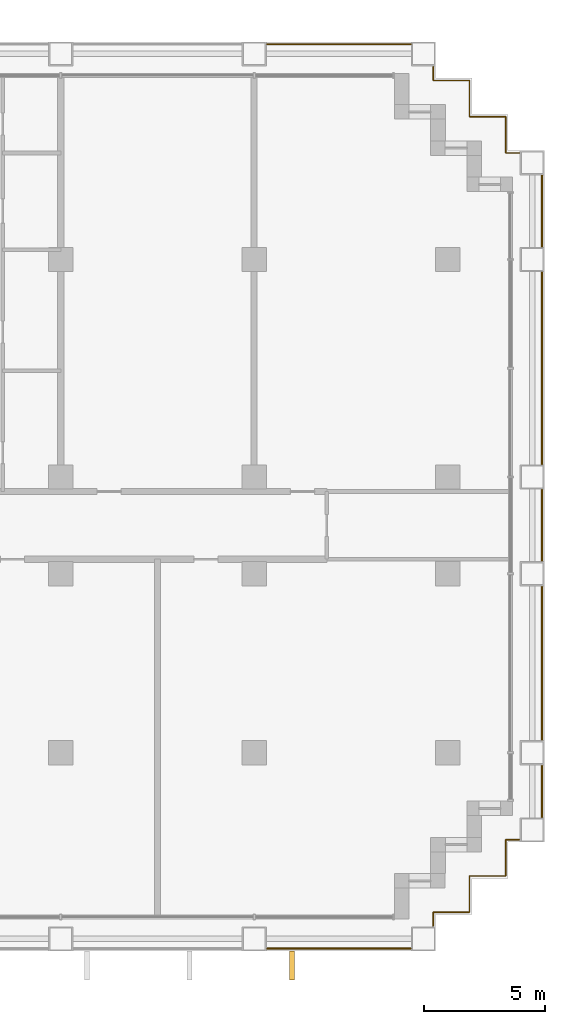
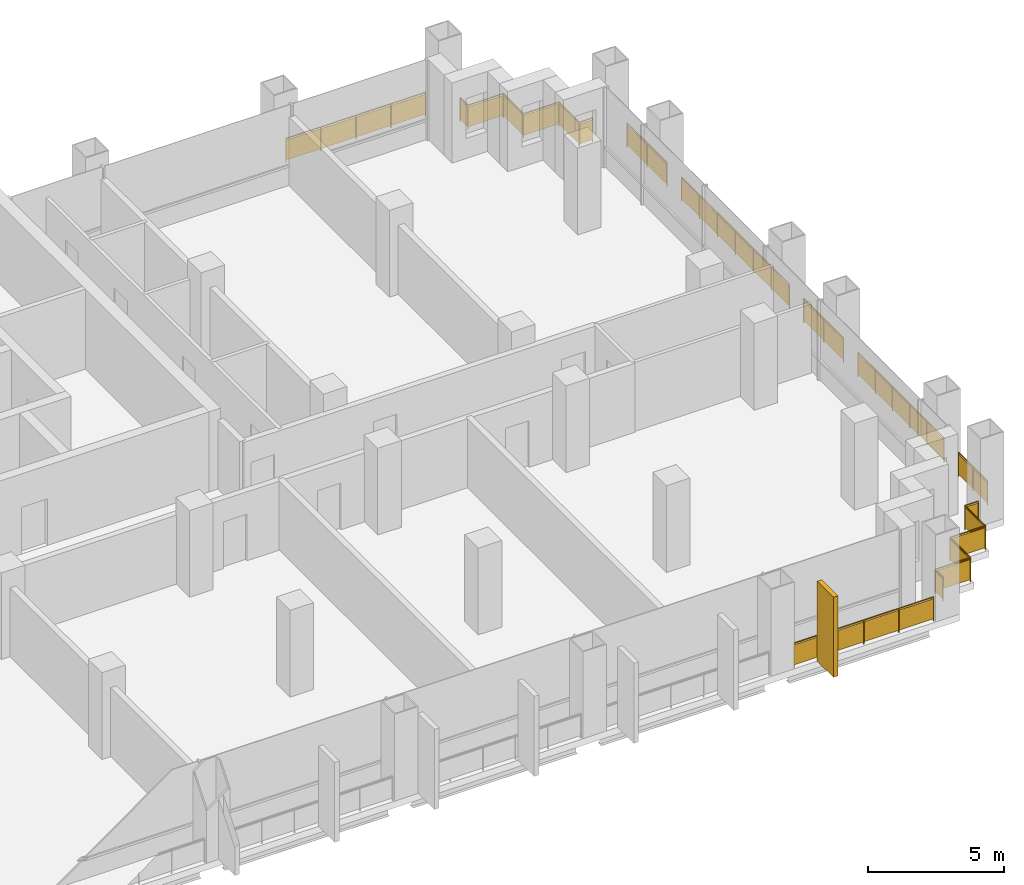
# One storey, part 13 of 13: 9 railings, 1 shading device.
"""IFC4 building model written with IfcOpenShell, lengths in metres."""

from ifc_helpers import new_model, si_unit, direction, frame, frame_2d, origin, origin_2d, place, context, subcontext, project, spatial, rectangle, circle, extrude, material, layer, layer_set, type_object, element, save


model = new_model("IFC4")

# Units and contexts
model_context = context("Model", 3, precision=1e-05, world=origin(), true_north=direction((0.0, 1.0)))
body_context = subcontext(model_context, "Body", "Model", "MODEL_VIEW")
ifc_project = project(units=[si_unit("LENGTHUNIT", "METRE"), si_unit("AREAUNIT", "SQUARE_METRE"), si_unit("VOLUMEUNIT", "CUBIC_METRE"), si_unit("PLANEANGLEUNIT", "RADIAN"), si_unit("MASSUNIT", "GRAM", prefix="KILO")], contexts=[model_context])

# Site, building, storey
site_placement = place(None, origin())
site = spatial("IfcSite", under=ifc_project, at=site_placement, CompositionType="ELEMENT")
building_placement = place(site_placement, origin())
building = spatial("IfcBuilding", under=site, at=building_placement, Name="Vidyagriha Tower", CompositionType="ELEMENT")
storey_placement = place(building_placement, frame((0.0, 0.0, 29.89990234375)))
storey = spatial("IfcBuildingStorey", under=building, at=storey_placement, Name="L07", CompositionType="ELEMENT", Elevation=29.89990234375)

# Shading device
ifc_material_1 = material(Name="Precast concrete C40/50 with brick facing", Category="concrete")
ifc_layer = layer(ifc_material_1, 0.199951171875)
ifc_layer_set = layer_set([ifc_layer], Name="Precast concrete C40/50 with brick facing")
shading_device_type = type_object("IfcShadingDeviceType", Name="Brick-faced solar fin 1200", PredefinedType="USERDEFINED", material=ifc_layer_set)
shading_device_placement = place(storey_placement, frame((27.56005859375, -17.60009765625, 0.0), z_axis=(0.0, 0.0, 1.0), x_axis=(0.0, -1.0, 0.0)))
element("IfcShadingDevice", 1, at=shading_device_placement, inside=storey, type_object=shading_device_type, Name="Solar fin L07 R23.14", ObjectType="SOLAR FIN", PredefinedType="USERDEFINED", context=body_context, shape_type="SweptSolid", body=[
    extrude(rectangle(XDim=1.199951171875, YDim=0.199951171875, at=frame_2d((0.60009765625, 0.0))), origin(), (0.0, 0.0, 1.0), 3.60009765625),
])

# Railings
ifc_material_2 = material(Name="Steel ASTM A500 Grade C black painted", Category="steel")
railing_type = type_object("IfcRailingType", Name="Gallery guard 1100", PredefinedType="GUARDRAIL", material=ifc_material_2)
railing_1_placement = place(storey_placement, frame((32.469970703125, -17.5, 0.0)))
element("IfcRailing", 2, at=railing_1_placement, inside=storey, type_object=railing_type, Name="Gallery guard L07 21", PredefinedType="GUARDRAIL", context=body_context, shape_type="SweptSolid", body=[
    extrude(circle(Radius=0.02490234375, at=origin_2d()), frame((0.0, 0.0, 1.0751953125), z_axis=(-1.0, 0.0, 0.0), x_axis=(0.0, -1.0, 0.0)), (0.0, 0.0, 1.0), 5.93994140625),
    extrude(circle(Radius=0.02001953125, at=origin_2d()), origin(), (0.0, 0.0, 1.0), 1.050048828125),
    extrude(circle(Radius=0.02001953125, at=origin_2d()), frame((-1.48486328125, 0.0, 0.0)), (0.0, 0.0, 1.0), 1.050048828125),
    extrude(circle(Radius=0.02001953125, at=origin_2d()), frame((-2.969970703125, 0.0, 0.0)), (0.0, 0.0, 1.0), 1.050048828125),
    extrude(circle(Radius=0.02001953125, at=origin_2d()), frame((-4.455078125, 0.0, 0.0)), (0.0, 0.0, 1.0), 1.050048828125),
    extrude(circle(Radius=0.02001953125, at=origin_2d()), frame((-5.93994140625, 0.0, 0.0)), (0.0, 0.0, 1.0), 1.050048828125),
    extrude(rectangle(XDim=0.010009765625, YDim=0.900146484375, at=origin_2d()), frame((0.0, 0.0, 0.550048828125), z_axis=(-1.0, 0.0, 0.0), x_axis=(0.0, -1.0, 0.0)), (0.0, 0.0, 1.0), 5.93994140625),
])
railing_2_placement = place(storey_placement, frame((26.530029296875, 19.89990234375, 0.0)))
element("IfcRailing", 3, at=railing_2_placement, inside=storey, type_object=railing_type, Name="Gallery guard L07 22", PredefinedType="GUARDRAIL", context=body_context, shape_type="SweptSolid", body=[
    extrude(circle(Radius=0.02490234375, at=origin_2d()), frame((0.0, 0.0, 1.0751953125), z_axis=(1.0, 0.0, 0.0), x_axis=(0.0, 1.0, 0.0)), (0.0, 0.0, 1.0), 5.93994140625),
    extrude(circle(Radius=0.02001953125, at=origin_2d()), origin(), (0.0, 0.0, 1.0), 1.050048828125),
    extrude(circle(Radius=0.02001953125, at=origin_2d()), frame((1.48486328125, 0.0, 0.0)), (0.0, 0.0, 1.0), 1.050048828125),
    extrude(circle(Radius=0.02001953125, at=origin_2d()), frame((2.969970703125, 0.0, 0.0)), (0.0, 0.0, 1.0), 1.050048828125),
    extrude(circle(Radius=0.02001953125, at=origin_2d()), frame((4.455078125, 0.0, 0.0)), (0.0, 0.0, 1.0), 1.050048828125),
    extrude(circle(Radius=0.02001953125, at=origin_2d()), frame((5.93994140625, 0.0, 0.0)), (0.0, 0.0, 1.0), 1.050048828125),
    extrude(rectangle(XDim=0.010009765625, YDim=0.900146484375, at=origin_2d()), frame((0.0, 0.0, 0.550048828125), z_axis=(1.0, 0.0, 0.0), x_axis=(0.0, 1.0, 0.0)), (0.0, 0.0, 1.0), 5.93994140625),
])
railing_3_placement = place(storey_placement, frame((36.969970703125, -13.0, 0.0)))
element("IfcRailing", 4, at=railing_3_placement, inside=storey, type_object=railing_type, Name="Gallery guard L07 23", PredefinedType="GUARDRAIL", context=body_context, shape_type="SweptSolid", body=[
    extrude(circle(Radius=0.02490234375, at=origin_2d()), frame((0.0, 0.0, 1.0751953125), z_axis=(-1.0, 0.0, 0.0), x_axis=(0.0, -1.0, 0.0)), (0.0, 0.0, 1.0), 0.570068359375),
    extrude(circle(Radius=0.02490234375, at=origin_2d()), frame((-0.570068359375, 0.0, 1.0751953125), z_axis=(0.0, -1.0, 0.0), x_axis=(1.0, 0.0, 0.0)), (0.0, 0.0, 1.0), 1.5),
    extrude(circle(Radius=0.02490234375, at=origin_2d()), frame((-0.570068359375, -1.5, 1.0751953125), z_axis=(-1.0, 0.0, 0.0), x_axis=(0.0, -1.0, 0.0)), (0.0, 0.0, 1.0), 1.5),
    extrude(circle(Radius=0.02490234375, at=origin_2d()), frame((-2.070068359375, -1.5, 1.0751953125), z_axis=(0.0, -1.0, 0.0), x_axis=(1.0, 0.0, 0.0)), (0.0, 0.0, 1.0), 1.5),
    extrude(circle(Radius=0.02490234375, at=origin_2d()), frame((-2.070068359375, -3.0, 1.0751953125), z_axis=(-1.0, 0.0, 0.0), x_axis=(0.0, -1.0, 0.0)), (0.0, 0.0, 1.0), 1.5),
    extrude(circle(Radius=0.02490234375, at=origin_2d()), frame((-3.570068359375, -3.0, 1.0751953125), z_axis=(0.0, -1.0, 0.0), x_axis=(1.0, 0.0, 0.0)), (0.0, 0.0, 1.0), 0.570068359375),
    extrude(circle(Radius=0.02001953125, at=origin_2d()), origin(), (0.0, 0.0, 1.0), 1.050048828125),
    extrude(circle(Radius=0.02001953125, at=origin_2d()), frame((-0.570068359375, 0.0, 0.0)), (0.0, 0.0, 1.0), 1.050048828125),
    extrude(circle(Radius=0.02001953125, at=origin_2d()), frame((-0.570068359375, -1.5, 0.0)), (0.0, 0.0, 1.0), 1.050048828125),
    extrude(circle(Radius=0.02001953125, at=origin_2d()), frame((-2.070068359375, -1.5, 0.0)), (0.0, 0.0, 1.0), 1.050048828125),
    extrude(circle(Radius=0.02001953125, at=origin_2d()), frame((-2.070068359375, -3.0, 0.0)), (0.0, 0.0, 1.0), 1.050048828125),
    extrude(circle(Radius=0.02001953125, at=origin_2d()), frame((-3.570068359375, -3.0, 0.0)), (0.0, 0.0, 1.0), 1.050048828125),
    extrude(circle(Radius=0.02001953125, at=origin_2d()), frame((-3.570068359375, -3.570068359375, 0.0)), (0.0, 0.0, 1.0), 1.050048828125),
    extrude(rectangle(XDim=0.010009765625, YDim=0.900146484375, at=origin_2d()), frame((0.0, 0.0, 0.550048828125), z_axis=(-1.0, 0.0, 0.0), x_axis=(0.0, -1.0, 0.0)), (0.0, 0.0, 1.0), 0.570068359375),
    extrude(rectangle(XDim=0.010009765625, YDim=0.900146484375, at=origin_2d()), frame((-0.570068359375, 0.0, 0.550048828125), z_axis=(0.0, -1.0, 0.0), x_axis=(1.0, 0.0, 0.0)), (0.0, 0.0, 1.0), 1.5),
    extrude(rectangle(XDim=0.010009765625, YDim=0.900146484375, at=origin_2d()), frame((-0.570068359375, -1.5, 0.550048828125), z_axis=(-1.0, 0.0, 0.0), x_axis=(0.0, -1.0, 0.0)), (0.0, 0.0, 1.0), 1.5),
    extrude(rectangle(XDim=0.010009765625, YDim=0.900146484375, at=origin_2d()), frame((-2.070068359375, -1.5, 0.550048828125), z_axis=(0.0, -1.0, 0.0), x_axis=(1.0, 0.0, 0.0)), (0.0, 0.0, 1.0), 1.5),
    extrude(rectangle(XDim=0.010009765625, YDim=0.900146484375, at=origin_2d()), frame((-2.070068359375, -3.0, 0.550048828125), z_axis=(-1.0, 0.0, 0.0), x_axis=(0.0, -1.0, 0.0)), (0.0, 0.0, 1.0), 1.5),
    extrude(rectangle(XDim=0.010009765625, YDim=0.900146484375, at=origin_2d()), frame((-3.570068359375, -3.0, 0.550048828125), z_axis=(0.0, -1.0, 0.0), x_axis=(1.0, 0.0, 0.0)), (0.0, 0.0, 1.0), 0.570068359375),
])
railing_4_placement = place(storey_placement, frame((33.39990234375, 18.969970703125, 0.0)))
element("IfcRailing", 5, at=railing_4_placement, inside=storey, type_object=railing_type, Name="Gallery guard L07 24", PredefinedType="GUARDRAIL", context=body_context, shape_type="SweptSolid", body=[
    extrude(circle(Radius=0.02490234375, at=origin_2d()), frame((0.0, 0.0, 1.0751953125), z_axis=(0.0, -1.0, 0.0), x_axis=(1.0, 0.0, 0.0)), (0.0, 0.0, 1.0), 0.570068359375),
    extrude(circle(Radius=0.02490234375, at=origin_2d()), frame((0.0, -0.570068359375, 1.0751953125), z_axis=(1.0, 0.0, 0.0), x_axis=(0.0, 1.0, 0.0)), (0.0, 0.0, 1.0), 1.5),
    extrude(circle(Radius=0.02490234375, at=origin_2d()), frame((1.5, -0.570068359375, 1.0751953125), z_axis=(0.0, -1.0, 0.0), x_axis=(1.0, 0.0, 0.0)), (0.0, 0.0, 1.0), 1.5),
    extrude(circle(Radius=0.02490234375, at=origin_2d()), frame((1.5, -2.070068359375, 1.0751953125), z_axis=(1.0, 0.0, 0.0), x_axis=(0.0, 1.0, 0.0)), (0.0, 0.0, 1.0), 1.5),
    extrude(circle(Radius=0.02490234375, at=origin_2d()), frame((3.0, -2.070068359375, 1.0751953125), z_axis=(0.0, -1.0, 0.0), x_axis=(1.0, 0.0, 0.0)), (0.0, 0.0, 1.0), 1.5),
    extrude(circle(Radius=0.02490234375, at=origin_2d()), frame((3.0, -3.570068359375, 1.0751953125), z_axis=(1.0, 0.0, 0.0), x_axis=(0.0, 1.0, 0.0)), (0.0, 0.0, 1.0), 0.570068359375),
    extrude(circle(Radius=0.02001953125, at=origin_2d()), origin(), (0.0, 0.0, 1.0), 1.050048828125),
    extrude(circle(Radius=0.02001953125, at=origin_2d()), frame((0.0, -0.570068359375, 0.0)), (0.0, 0.0, 1.0), 1.050048828125),
    extrude(circle(Radius=0.02001953125, at=origin_2d()), frame((1.5, -0.570068359375, 0.0)), (0.0, 0.0, 1.0), 1.050048828125),
    extrude(circle(Radius=0.02001953125, at=origin_2d()), frame((1.5, -2.070068359375, 0.0)), (0.0, 0.0, 1.0), 1.050048828125),
    extrude(circle(Radius=0.02001953125, at=origin_2d()), frame((3.0, -2.070068359375, 0.0)), (0.0, 0.0, 1.0), 1.050048828125),
    extrude(circle(Radius=0.02001953125, at=origin_2d()), frame((3.0, -3.570068359375, 0.0)), (0.0, 0.0, 1.0), 1.050048828125),
    extrude(circle(Radius=0.02001953125, at=origin_2d()), frame((3.570068359375, -3.570068359375, 0.0)), (0.0, 0.0, 1.0), 1.050048828125),
    extrude(rectangle(XDim=0.010009765625, YDim=0.900146484375, at=origin_2d()), frame((0.0, 0.0, 0.550048828125), z_axis=(0.0, -1.0, 0.0), x_axis=(1.0, 0.0, 0.0)), (0.0, 0.0, 1.0), 0.570068359375),
    extrude(rectangle(XDim=0.010009765625, YDim=0.900146484375, at=origin_2d()), frame((0.0, -0.570068359375, 0.550048828125), z_axis=(1.0, 0.0, 0.0), x_axis=(0.0, 1.0, 0.0)), (0.0, 0.0, 1.0), 1.5),
    extrude(rectangle(XDim=0.010009765625, YDim=0.900146484375, at=origin_2d()), frame((1.5, -0.570068359375, 0.550048828125), z_axis=(0.0, -1.0, 0.0), x_axis=(1.0, 0.0, 0.0)), (0.0, 0.0, 1.0), 1.5),
    extrude(rectangle(XDim=0.010009765625, YDim=0.900146484375, at=origin_2d()), frame((1.5, -2.070068359375, 0.550048828125), z_axis=(1.0, 0.0, 0.0), x_axis=(0.0, 1.0, 0.0)), (0.0, 0.0, 1.0), 1.5),
    extrude(rectangle(XDim=0.010009765625, YDim=0.900146484375, at=origin_2d()), frame((3.0, -2.070068359375, 0.550048828125), z_axis=(0.0, -1.0, 0.0), x_axis=(1.0, 0.0, 0.0)), (0.0, 0.0, 1.0), 1.5),
    extrude(rectangle(XDim=0.010009765625, YDim=0.900146484375, at=origin_2d()), frame((3.0, -3.570068359375, 0.550048828125), z_axis=(1.0, 0.0, 0.0), x_axis=(0.0, 1.0, 0.0)), (0.0, 0.0, 1.0), 0.570068359375),
])
railing_5_placement = place(storey_placement, frame((37.89990234375, -9.929931640625, 0.0)))
element("IfcRailing", 6, at=railing_5_placement, inside=storey, type_object=railing_type, Name="Gallery guard L07 25", PredefinedType="GUARDRAIL", context=body_context, shape_type="SweptSolid", body=[
    extrude(circle(Radius=0.02490234375, at=origin_2d()), frame((0.0, 0.0, 1.0751953125), z_axis=(0.0, -1.0, 0.0), x_axis=(1.0, 0.0, 0.0)), (0.0, 0.0, 1.0), 2.14013671875),
    extrude(circle(Radius=0.02001953125, at=origin_2d()), origin(), (0.0, 0.0, 1.0), 1.050048828125),
    extrude(circle(Radius=0.02001953125, at=origin_2d()), frame((0.0, -1.070068359375, 0.0)), (0.0, 0.0, 1.0), 1.050048828125),
    extrude(circle(Radius=0.02001953125, at=origin_2d()), frame((0.0, -2.14013671875, 0.0)), (0.0, 0.0, 1.0), 1.050048828125),
    extrude(rectangle(XDim=0.010009765625, YDim=0.900146484375, at=origin_2d()), frame((0.0, 0.0, 0.550048828125), z_axis=(0.0, -1.0, 0.0), x_axis=(1.0, 0.0, 0.0)), (0.0, 0.0, 1.0), 2.14013671875),
])
railing_6_placement = place(storey_placement, frame((37.89990234375, -2.530029296875, 0.0)))
element("IfcRailing", 7, at=railing_6_placement, inside=storey, type_object=railing_type, Name="Gallery guard L07 26", PredefinedType="GUARDRAIL", context=body_context, shape_type="SweptSolid", body=[
    extrude(circle(Radius=0.02490234375, at=origin_2d()), frame((0.0, 0.0, 1.0751953125), z_axis=(0.0, -1.0, 0.0), x_axis=(1.0, 0.0, 0.0)), (0.0, 0.0, 1.0), 6.340087890625),
    extrude(circle(Radius=0.02001953125, at=origin_2d()), origin(), (0.0, 0.0, 1.0), 1.050048828125),
    extrude(circle(Radius=0.02001953125, at=origin_2d()), frame((0.0, -1.26806640625, 0.0)), (0.0, 0.0, 1.0), 1.050048828125),
    extrude(circle(Radius=0.02001953125, at=origin_2d()), frame((0.0, -2.5361328125, 0.0)), (0.0, 0.0, 1.0), 1.050048828125),
    extrude(circle(Radius=0.02001953125, at=origin_2d()), frame((0.0, -3.803955078125, 0.0)), (0.0, 0.0, 1.0), 1.050048828125),
    extrude(circle(Radius=0.02001953125, at=origin_2d()), frame((0.0, -5.072021484375, 0.0)), (0.0, 0.0, 1.0), 1.050048828125),
    extrude(circle(Radius=0.02001953125, at=origin_2d()), frame((0.0, -6.340087890625, 0.0)), (0.0, 0.0, 1.0), 1.050048828125),
    extrude(rectangle(XDim=0.010009765625, YDim=0.900146484375, at=origin_2d()), frame((0.0, 0.0, 0.550048828125), z_axis=(0.0, -1.0, 0.0), x_axis=(1.0, 0.0, 0.0)), (0.0, 0.0, 1.0), 6.340087890625),
])
railing_7_placement = place(storey_placement, frame((37.89990234375, 1.469970703125, 0.0)))
element("IfcRailing", 8, at=railing_7_placement, inside=storey, type_object=railing_type, Name="Gallery guard L07 27", PredefinedType="GUARDRAIL", context=body_context, shape_type="SweptSolid", body=[
    extrude(circle(Radius=0.02490234375, at=origin_2d()), frame((0.0, 0.0, 1.0751953125), z_axis=(0.0, -1.0, 0.0), x_axis=(1.0, 0.0, 0.0)), (0.0, 0.0, 1.0), 2.93994140625),
    extrude(circle(Radius=0.02001953125, at=origin_2d()), origin(), (0.0, 0.0, 1.0), 1.050048828125),
    extrude(circle(Radius=0.02001953125, at=origin_2d()), frame((0.0, -1.469970703125, 0.0)), (0.0, 0.0, 1.0), 1.050048828125),
    extrude(circle(Radius=0.02001953125, at=origin_2d()), frame((0.0, -2.93994140625, 0.0)), (0.0, 0.0, 1.0), 1.050048828125),
    extrude(rectangle(XDim=0.010009765625, YDim=0.900146484375, at=origin_2d()), frame((0.0, 0.0, 0.550048828125), z_axis=(0.0, -1.0, 0.0), x_axis=(1.0, 0.0, 0.0)), (0.0, 0.0, 1.0), 2.93994140625),
])
railing_8_placement = place(storey_placement, frame((37.89990234375, 10.469970703125, 0.0)))
element("IfcRailing", 9, at=railing_8_placement, inside=storey, type_object=railing_type, Name="Gallery guard L07 28", PredefinedType="GUARDRAIL", context=body_context, shape_type="SweptSolid", body=[
    extrude(circle(Radius=0.02490234375, at=origin_2d()), frame((0.0, 0.0, 1.0751953125), z_axis=(0.0, -1.0, 0.0), x_axis=(1.0, 0.0, 0.0)), (0.0, 0.0, 1.0), 7.93994140625),
    extrude(circle(Radius=0.02001953125, at=origin_2d()), origin(), (0.0, 0.0, 1.0), 1.050048828125),
    extrude(circle(Radius=0.02001953125, at=origin_2d()), frame((0.0, -1.3232421875, 0.0)), (0.0, 0.0, 1.0), 1.050048828125),
    extrude(circle(Radius=0.02001953125, at=origin_2d()), frame((0.0, -2.646728515625, 0.0)), (0.0, 0.0, 1.0), 1.050048828125),
    extrude(circle(Radius=0.02001953125, at=origin_2d()), frame((0.0, -3.969970703125, 0.0)), (0.0, 0.0, 1.0), 1.050048828125),
    extrude(circle(Radius=0.02001953125, at=origin_2d()), frame((0.0, -5.293212890625, 0.0)), (0.0, 0.0, 1.0), 1.050048828125),
    extrude(circle(Radius=0.02001953125, at=origin_2d()), frame((0.0, -6.61669921875, 0.0)), (0.0, 0.0, 1.0), 1.050048828125),
    extrude(circle(Radius=0.02001953125, at=origin_2d()), frame((0.0, -7.93994140625, 0.0)), (0.0, 0.0, 1.0), 1.050048828125),
    extrude(rectangle(XDim=0.010009765625, YDim=0.900146484375, at=origin_2d()), frame((0.0, 0.0, 0.550048828125), z_axis=(0.0, -1.0, 0.0), x_axis=(1.0, 0.0, 0.0)), (0.0, 0.0, 1.0), 7.93994140625),
])
railing_9_placement = place(storey_placement, frame((37.89990234375, 14.469970703125, 0.0)))
element("IfcRailing", 10, at=railing_9_placement, inside=storey, type_object=railing_type, Name="Gallery guard L07 29", PredefinedType="GUARDRAIL", context=body_context, shape_type="SweptSolid", body=[
    extrude(circle(Radius=0.02490234375, at=origin_2d()), frame((0.0, 0.0, 1.0751953125), z_axis=(0.0, -1.0, 0.0), x_axis=(1.0, 0.0, 0.0)), (0.0, 0.0, 1.0), 2.93994140625),
    extrude(circle(Radius=0.02001953125, at=origin_2d()), origin(), (0.0, 0.0, 1.0), 1.050048828125),
    extrude(circle(Radius=0.02001953125, at=origin_2d()), frame((0.0, -1.469970703125, 0.0)), (0.0, 0.0, 1.0), 1.050048828125),
    extrude(circle(Radius=0.02001953125, at=origin_2d()), frame((0.0, -2.93994140625, 0.0)), (0.0, 0.0, 1.0), 1.050048828125),
    extrude(rectangle(XDim=0.010009765625, YDim=0.900146484375, at=origin_2d()), frame((0.0, 0.0, 0.550048828125), z_axis=(0.0, -1.0, 0.0), x_axis=(1.0, 0.0, 0.0)), (0.0, 0.0, 1.0), 2.93994140625),
])

save(model, "model.ifc")
